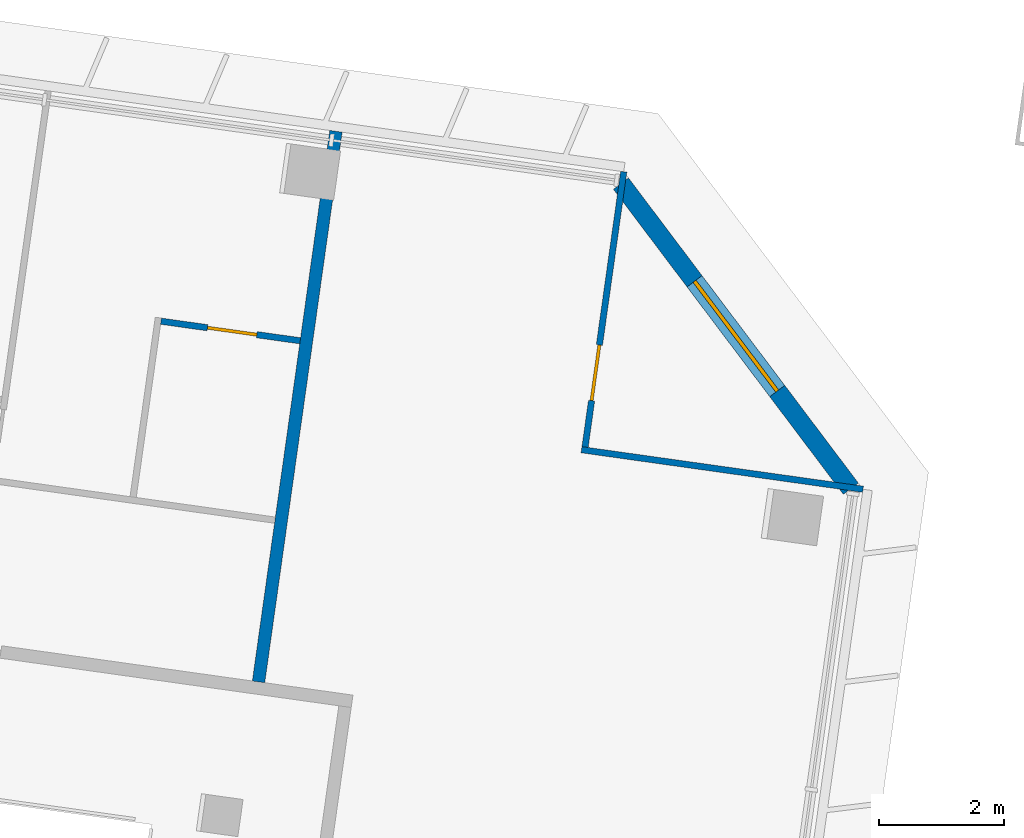
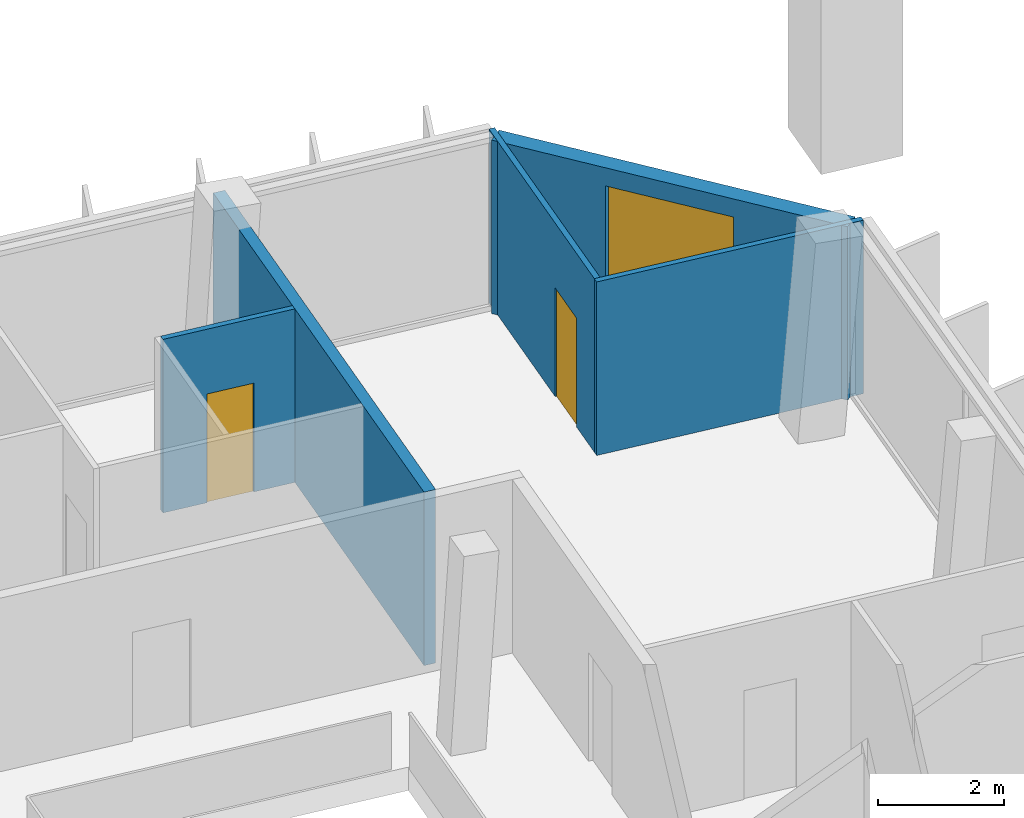
# One storey, part 16 of 23: 5 walls, 2 doors, 1 window, 3 openings.
"""IFC4 building model written with IfcOpenShell, lengths in metres."""

from ifc_helpers import new_model, si_unit, direction, frame, frame_2d, origin, place, context, subcontext, project, spatial, rectangle, extrude, material, layer, layer_set, type_object, element, fill, save


model = new_model("IFC4")

# Units and contexts
model_context = context("Model", 3, precision=1e-05, world=origin(), true_north=direction((0.0, 1.0)))
body_context = subcontext(model_context, "Body", "Model", "MODEL_VIEW")
ifc_project = project(units=[si_unit("LENGTHUNIT", "METRE"), si_unit("AREAUNIT", "SQUARE_METRE"), si_unit("VOLUMEUNIT", "CUBIC_METRE"), si_unit("PLANEANGLEUNIT", "RADIAN"), si_unit("MASSUNIT", "GRAM", prefix="KILO")], contexts=[model_context])

# Site, building, storey
site_placement = place(None, origin())
site = spatial("IfcSite", under=ifc_project, at=site_placement, CompositionType="ELEMENT")
building_placement = place(site_placement, origin())
building = spatial("IfcBuilding", under=site, at=building_placement, Name="Mirante Cascada Hotel Towers", CompositionType="ELEMENT")
storey_placement = place(building_placement, frame((0.0, 0.0, 187.8)))
storey = spatial("IfcBuildingStorey", under=building, at=storey_placement, Name="L44", CompositionType="ELEMENT", Elevation=187.8)

# Walls
ifc_material_1 = material(Name="Fire-rated plasterboard on metal studs")
ifc_layer_1 = layer(ifc_material_1, 0.2)
ifc_layer_set_1 = layer_set([ifc_layer_1], Name="Compartment wall 200 EI 120")
wall_type_1 = type_object("IfcWallType", Name="Compartment wall 200 EI 120", PredefinedType="PARTITIONING", material=ifc_layer_set_1)
wall_1_placement = place(storey_placement, frame((-36.1455, 9.063, 0.0), z_axis=(0.0, 0.0, 1.0), x_axis=(0.13917, 0.9902685, 0.0)))
element("IfcWall", 1, at=wall_1_placement, inside=storey, type_object=wall_type_1, Name="Wall 1-L44-35", PredefinedType="PARTITIONING", context=body_context, shape_type="SweptSolid", body=[
    extrude(rectangle(XDim=8.8999, YDim=0.2, at=frame_2d((4.45, 0.0))), origin(), (0.0, 0.0, 1.0), 3.35),
])
ifc_material_2 = material(Name="Plasterboard on metal studs")
ifc_layer_2 = layer(ifc_material_2, 0.1)
ifc_layer_set_2 = layer_set([ifc_layer_2], Name="Partition 100")
wall_type_2 = type_object("IfcWallType", Name="Partition 100", PredefinedType="PARTITIONING", material=ifc_layer_set_2)
wall_2_placement = place(storey_placement, frame((-26.4695, 12.1463, 0.0), z_axis=(0.0, 0.0, 1.0), x_axis=(-0.9902661, 0.1391871, 0.0)))
element("IfcWall", 2, at=wall_2_placement, inside=storey, type_object=wall_type_2, Name="Wall 1-L44-23", PredefinedType="PARTITIONING", context=body_context, shape_type="SweptSolid", body=[
    extrude(rectangle(XDim=4.55, YDim=0.1, at=frame_2d((2.275, 0.0))), origin(), (0.0, 0.0, 1.0), 3.35),
])

# Wall, opening, door
wall_3_placement = place(storey_placement, frame((-35.4791, 14.5233, 0.0), z_axis=(0.0, 0.0, 1.0), x_axis=(-0.9902643, 0.1391997, 0.0)))
wall_3 = element("IfcWall", 3, at=wall_3_placement, inside=storey, type_object=wall_type_2, Name="Wall 1-L44-25", PredefinedType="PARTITIONING", context=body_context, shape_type="SweptSolid", body=[
    extrude(rectangle(XDim=2.25, YDim=0.1, at=frame_2d((1.125, 0.0))), origin(), (0.0, 0.0, 1.0), 3.35),
])
opening_1_placement = place(wall_3_placement, frame((0.7, 0.0, 0.0)))
opening_1 = element("IfcOpeningElement", 4, at=opening_1_placement, cuts=wall_3, Name="Opening D1-L44-17", PredefinedType="OPENING", context=body_context, shape_type="SweptSolid", body=[
    extrude(rectangle(XDim=0.8, YDim=2.1, at=frame_2d((0.4, 1.05))), frame((0.0, 0.05, 0.0), z_axis=(0.0, -1.0, 0.0), x_axis=(1.0, 0.0, 0.0)), (0.0, 0.0, 1.0), 0.1),
])
ifc_material_3 = material(Name="Timber door leaf", Category="wood")
door_type_1 = type_object("IfcDoorType", Name="Bathroom door DG4 800x2100", OperationType="SINGLE_SWING_LEFT", PredefinedType="DOOR", material=ifc_material_3)
door_1_placement = place(opening_1_placement, frame((0.8, 0.0, 0.0), z_axis=(0.0, 0.0, 1.0), x_axis=(-1.0, 0.0, 0.0)))
door_1 = element("IfcDoor", 5, at=door_1_placement, inside=storey, type_object=door_type_1, Name="Door D1-L44-17", OperationType="SINGLE_SWING_RIGHT", OverallHeight=2.1, OverallWidth=0.8, PredefinedType="DOOR", context=body_context, shape_type="SweptSolid", body=[
    extrude(rectangle(XDim=0.8, YDim=2.1, at=frame_2d((0.4, 1.05))), frame((0.0, 0.025, 0.0), z_axis=(0.0, -1.0, 0.0), x_axis=(1.0, 0.0, 0.0)), (0.0, 0.0, 1.0), 0.05),
])
fill(opening_1, door_1)

wall_4_placement = place(storey_placement, frame((-30.9187, 12.8221, 0.0), z_axis=(0.0, 0.0, 1.0), x_axis=(0.1391684, 0.9902687, 0.0)))
wall_4 = element("IfcWall", 6, at=wall_4_placement, inside=storey, type_object=wall_type_2, Name="Wall 1-L44-31", PredefinedType="PARTITIONING", context=body_context, shape_type="SweptSolid", body=[
    extrude(rectangle(XDim=4.45, YDim=0.1, at=frame_2d((2.225, 0.0))), origin(), (0.0, 0.0, 1.0), 3.35),
])
opening_2_placement = place(wall_4_placement, frame((0.75, 0.0, 0.0)))
opening_2 = element("IfcOpeningElement", 7, at=opening_2_placement, cuts=wall_4, Name="Opening D1-L44-23", PredefinedType="OPENING", context=body_context, shape_type="SweptSolid", body=[
    extrude(rectangle(XDim=0.9, YDim=2.1, at=frame_2d((0.45, 1.05))), frame((0.0, 0.05, 0.0), z_axis=(0.0, -1.0, 0.0), x_axis=(1.0, 0.0, 0.0)), (0.0, 0.0, 1.0), 0.1),
])
ifc_material_4 = material(Name="Timber door leaf", Category="wood")
door_type_2 = type_object("IfcDoorType", Name="Room door DG3 900x2100", OperationType="SINGLE_SWING_LEFT", PredefinedType="DOOR", material=ifc_material_4)
door_2_placement = place(opening_2_placement, origin())
door_2 = element("IfcDoor", 8, at=door_2_placement, inside=storey, type_object=door_type_2, Name="Door D1-L44-23", OperationType="SINGLE_SWING_LEFT", OverallHeight=2.1, OverallWidth=0.9, PredefinedType="DOOR", context=body_context, shape_type="SweptSolid", body=[
    extrude(rectangle(XDim=0.9, YDim=2.1, at=frame_2d((0.45, 1.05))), frame((0.0, 0.025, 0.0), z_axis=(0.0, -1.0, 0.0), x_axis=(1.0, 0.0, 0.0)), (0.0, 0.0, 1.0), 0.05),
])
fill(opening_2, door_2)

# Wall, opening, window
ifc_material_5 = material(Name="Precast concrete C40/50", Category="concrete")
ifc_layer_3 = layer(ifc_material_5, 0.3)
ifc_layer_set_3 = layer_set([ifc_layer_3], Name="Precast concrete C40/50 cladding wall 300")
wall_type_3 = type_object("IfcWallType", Name="Precast concrete C40/50 cladding wall 300", PredefinedType="STANDARD", material=ifc_layer_set_3)
wall_5_placement = place(storey_placement, frame((-30.3445, 17.0394, 0.0), z_axis=(0.0, 0.0, 1.0), x_axis=(0.6018141, -0.7986362, 0.0)))
wall_5 = element("IfcWall", 9, at=wall_5_placement, inside=storey, type_object=wall_type_3, Name="Corner cladding wall T1 L44 front inner", PredefinedType="STANDARD", context=body_context, shape_type="SweptSolid", body=[
    extrude(rectangle(XDim=6.1157, YDim=0.3, at=frame_2d((3.0578, 0.0))), origin(), (0.0, 0.0, 1.0), 3.35),
])
opening_3_placement = place(wall_5_placement, frame((1.9578, 0.0, 0.6)))
opening_3 = element("IfcOpeningElement", 10, at=opening_3_placement, cuts=wall_5, Name="Opening W1-44-03", PredefinedType="OPENING", context=body_context, shape_type="SweptSolid", body=[
    extrude(rectangle(XDim=2.2, YDim=2.4, at=frame_2d((1.1, 1.2))), frame((0.0, 0.15, 0.0), z_axis=(0.0, -1.0, 0.0), x_axis=(1.0, 0.0, 0.0)), (0.0, 0.0, 1.0), 0.3),
])
ifc_material_6 = material(Name="Aluminium frame with clear double glazing", Category="aluminium")
window_type = type_object("IfcWindowType", Name="Corner suite window 2200x2400", PartitioningType="DOUBLE_PANEL_VERTICAL", PredefinedType="WINDOW", material=ifc_material_6)
window_placement = place(opening_3_placement, origin())
window = element("IfcWindow", 11, at=window_placement, inside=storey, type_object=window_type, Name="Window W1-44-03", OverallHeight=2.4, OverallWidth=2.2, PartitioningType="SINGLE_PANEL", PredefinedType="WINDOW", context=body_context, shape_type="SweptSolid", body=[
    extrude(rectangle(XDim=2.2, YDim=2.4, at=frame_2d((1.1, 1.2))), frame((0.0, 0.03, 0.0), z_axis=(0.0, -1.0, 0.0), x_axis=(1.0, 0.0, 0.0)), (0.0, 0.0, 1.0), 0.06),
])
fill(opening_3, window)

save(model, "model.ifc")
